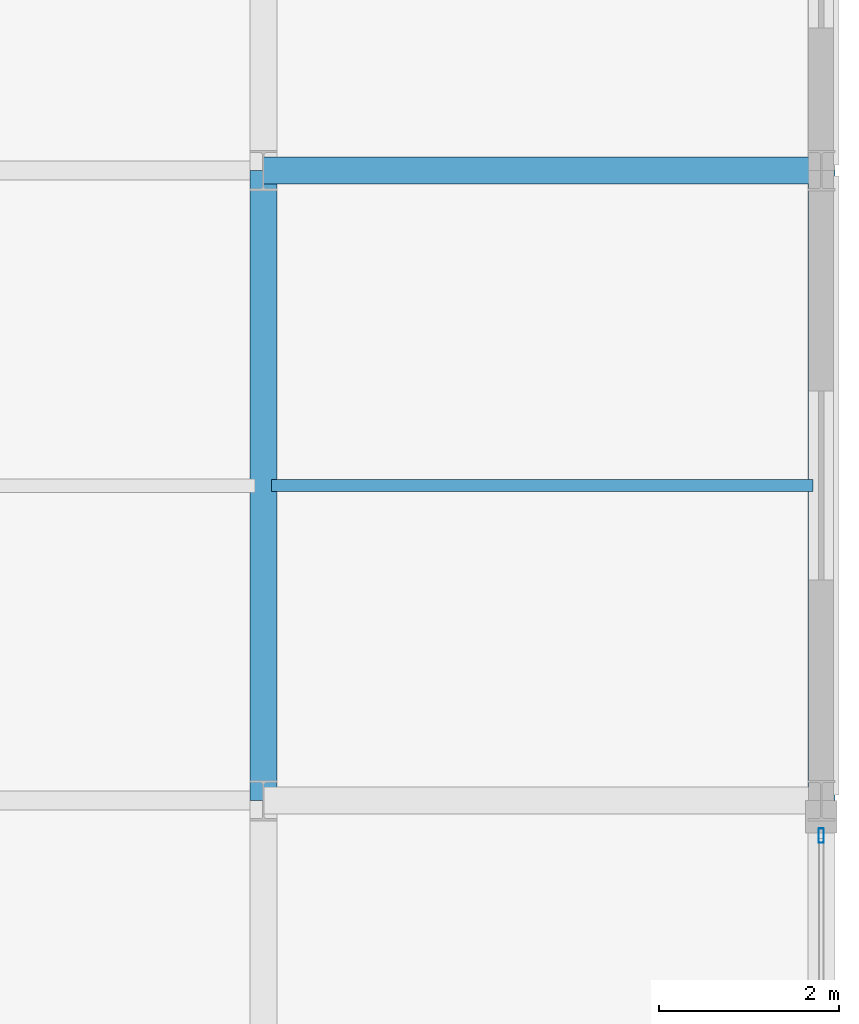
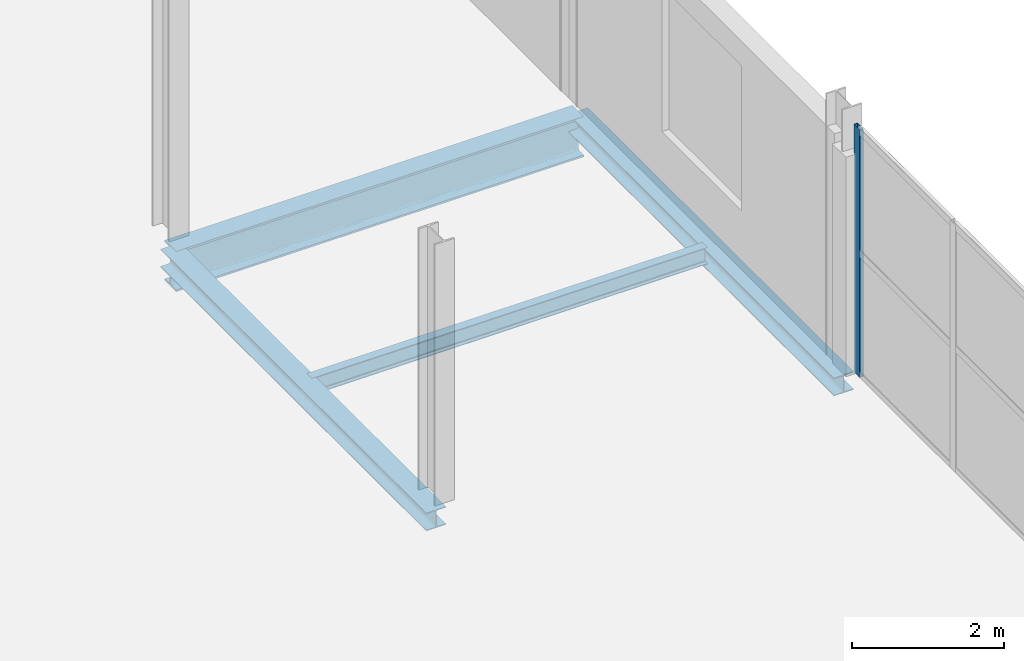
# One storey, part 71 of 93: 4 beams, 1 member, 1 element without a shape of its own.
"""IFC4 building model written with IfcOpenShell, lengths in metres."""

from ifc_helpers import new_model, si_unit, direction, frame, origin, origin_2d, place, context, subcontext, project, spatial, hollow_rectangle, i_section, extrude, material, layer, layer_set, material_profile, profile_set, type_object, element, aggregate, save


model = new_model("IFC4")

# Units and contexts
model_context = context("Model", 3, precision=1e-05, world=origin(), true_north=direction((0.0, 1.0)))
body_context = subcontext(model_context, "Body", "Model", "MODEL_VIEW")
ifc_project = project(units=[si_unit("LENGTHUNIT", "METRE"), si_unit("AREAUNIT", "SQUARE_METRE"), si_unit("VOLUMEUNIT", "CUBIC_METRE"), si_unit("PLANEANGLEUNIT", "RADIAN"), si_unit("MASSUNIT", "GRAM", prefix="KILO")], contexts=[model_context])

# Site, building, storey
site_placement = place(None, origin())
site = spatial("IfcSite", under=ifc_project, at=site_placement, CompositionType="ELEMENT")
building_placement = place(site_placement, origin())
building = spatial("IfcBuilding", under=site, at=building_placement, Name="Vekula Escarpment Museum", CompositionType="ELEMENT")
storey_placement = place(building_placement, frame((0.0, 0.0, 22.199951171875)))
storey = spatial("IfcBuildingStorey", under=building, at=storey_placement, Name="L05", CompositionType="ELEMENT", Elevation=22.199951171875)

# Beams
ifc_material_1 = material(Name="Steel S355", Category="steel")
ifc_material_profile_1 = material_profile(ifc_material_1, i_section(OverallWidth=0.300048828125, OverallDepth=0.64990234375, WebThickness=0.01611328125, FlangeThickness=0.031005859375, FilletRadius=0.027099609375, at=origin_2d()), Name="HEB 650")
ifc_profile_set_1 = profile_set([ifc_material_profile_1], Name="Steel S355")
beam_type_1 = type_object("IfcBeamType", Name="BM-GIRD-HEB650", PredefinedType="BEAM", material=ifc_profile_set_1)
beam_1_placement = place(storey_placement, frame((191.800048828125, 83.39990234375, -0.574951171875), z_axis=(1.0, 0.0, 0.0), x_axis=(0.0, 1.0, 0.0)))
element("IfcBeam", 1, at=beam_1_placement, inside=storey, type_object=beam_type_1, Name="Beam X L05 2045", PredefinedType="BEAM", context=body_context, shape_type="SweptSolid", body=[
    extrude(i_section(OverallWidth=0.300048828125, OverallDepth=0.64990234375, WebThickness=0.01611328125, FlangeThickness=0.031005859375, FilletRadius=0.027099609375, at=origin_2d()), origin(), (0.0, 0.0, 1.0), 6.199951171875),
])
ifc_material_2 = material(Name="Steel S355", Category="steel")
ifc_material_profile_2 = material_profile(ifc_material_2, i_section(OverallWidth=0.135009765625, OverallDepth=0.27001953125, WebThickness=0.006591796875, FlangeThickness=0.01025390625, FilletRadius=0.014892578125, at=origin_2d()), Name="IPE 270")
ifc_profile_set_2 = profile_set([ifc_material_profile_2], Name="Steel S355")
beam_type_2 = type_object("IfcBeamType", Name="BM-JST-IPE270", PredefinedType="JOIST", material=ifc_profile_set_2)
beam_2_placement = place(storey_placement, frame((191.889892578125, 79.89990234375, -0.385009765625), z_axis=(1.0, 0.0, 0.0), x_axis=(0.0, 1.0, 0.0)))
element("IfcBeam", 2, at=beam_2_placement, inside=storey, type_object=beam_type_2, Name="Secondary Joist L05 1417", PredefinedType="JOIST", context=body_context, shape_type="SweptSolid", body=[
    extrude(i_section(OverallWidth=0.135009765625, OverallDepth=0.27001953125, WebThickness=0.006591796875, FlangeThickness=0.01025390625, FilletRadius=0.014892578125, at=origin_2d()), origin(), (0.0, 0.0, 1.0), 6.02001953125),
])
ifc_material_3 = material(Name="Steel S355", Category="steel")
ifc_material_profile_3 = material_profile(ifc_material_3, i_section(OverallWidth=0.300048828125, OverallDepth=0.2900390625, WebThickness=0.008544921875, FlangeThickness=0.013916015625, FilletRadius=0.027099609375, at=origin_2d()), Name="HEA 300")
ifc_profile_set_3 = profile_set([ifc_material_profile_3], Name="Steel S355")
beam_type_3 = type_object("IfcBeamType", Name="BM-SPAN-HEA300", PredefinedType="SPANDREL", material=ifc_profile_set_3)
for number, where, z_axis, x_axis, name in (
    (3, (191.800048828125, 76.39990234375, -0.39501953125), (0.0, 1.0, 0.0), (-1.0, 0.0, 0.0), "Beam Y L05 2178"),
    (4, (198.0, 76.39990234375, -0.39501953125), (0.0, 1.0, 0.0), (-1.0, 0.0, 0.0), "Beam Y L05 2186"),
):
    element("IfcBeam", number, at=place(storey_placement, frame(where, z_axis=z_axis, x_axis=x_axis)), inside=storey, type_object=beam_type_3, Name=name, PredefinedType="SPANDREL", context=body_context, shape_type="SweptSolid", body=[
        extrude(i_section(OverallWidth=0.300048828125, OverallDepth=0.2900390625, WebThickness=0.008544921875, FlangeThickness=0.013916015625, FilletRadius=0.027099609375, at=origin_2d()), origin(), (0.0, 0.0, 1.0), 7.0),
    ])

# Curtain wall, member
ifc_material_4 = material(Name="Aluminium thermally broken framing", Category="aluminium")
ifc_layer = layer(ifc_material_4, 0.139892578125)
ifc_layer_set = layer_set([ifc_layer], Name="Aluminium thermally broken framing")
curtain_wall_type = type_object("IfcCurtainWallType", Name="CW-SYS-06", PredefinedType="NOTDEFINED", material=ifc_layer_set)
curtain_wall_placement = place(storey_placement, origin())
curtain_wall = element("IfcCurtainWall", 5, at=curtain_wall_placement, inside=storey, type_object=curtain_wall_type, Name="Curtain Wall CW-L05-186", PredefinedType="NOTDEFINED")
ifc_material_5 = material(Name="Aluminium anodized mullion", Category="aluminium")
ifc_material_profile_4 = material_profile(ifc_material_5, hollow_rectangle(XDim=0.06005859375, YDim=0.159912109375, WallThickness=0.00390625, InnerFilletRadius=0.00390625, OuterFilletRadius=0.008056640625, at=origin_2d()), Name="ALU 160x60x4")
ifc_profile_set_4 = profile_set([ifc_material_profile_4], Name="Aluminium anodized mullion")
member_type = type_object("IfcMemberType", Name="CW-MUL-160", PredefinedType="MULLION", material=ifc_profile_set_4)
member_placement = place(storey_placement, frame((198.0, 76.010009765625, 0.0), z_axis=(0.0, 0.0, 1.0), x_axis=(-1.0, 0.0, 0.0)))
member = element("IfcMember", 6, at=member_placement, type_object=member_type, Name="CW-06 mullion 4", PredefinedType="MULLION", context=body_context, shape_type="SweptSolid", body=[
    extrude(hollow_rectangle(XDim=0.06005859375, YDim=0.159912109375, WallThickness=0.00390625, InnerFilletRadius=0.00390625, OuterFilletRadius=0.008056640625, at=origin_2d()), origin(), (0.0, 0.0, 1.0), 3.97998046875),
])
aggregate(curtain_wall, [member])

save(model, "model.ifc")
